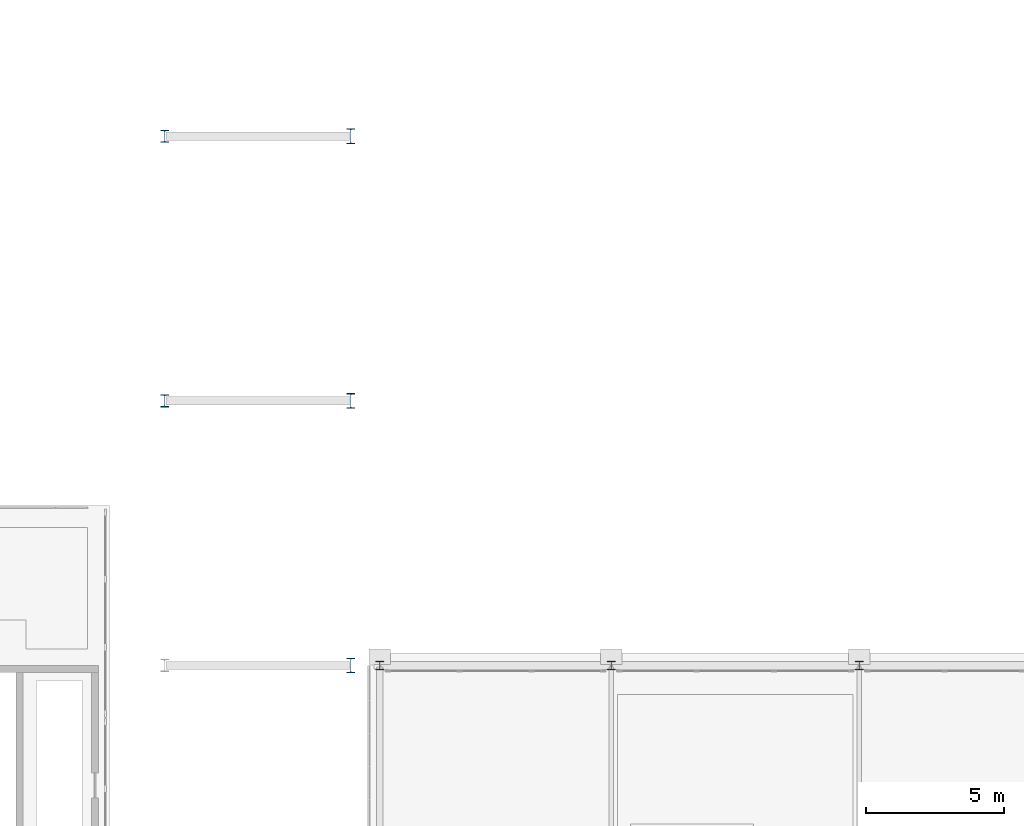
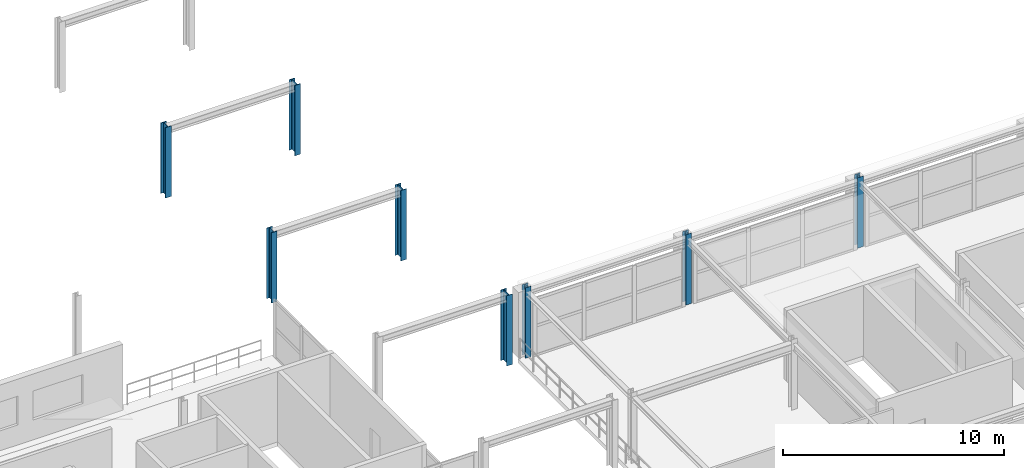
# One storey, part 4 of 52: 8 columns.
"""IFC4 building model written with IfcOpenShell, lengths in metres."""

from ifc_helpers import new_model, si_unit, direction, frame, origin, origin_2d, place, context, subcontext, project, spatial, i_section, extrude, material, material_profile, profile_set, type_object, element, save


model = new_model("IFC4")

# Units and contexts
model_context = context("Model", 3, precision=1e-05, world=origin(), true_north=direction((0.0, 1.0)))
body_context = subcontext(model_context, "Body", "Model", "MODEL_VIEW")
ifc_project = project(units=[si_unit("LENGTHUNIT", "METRE"), si_unit("AREAUNIT", "SQUARE_METRE"), si_unit("VOLUMEUNIT", "CUBIC_METRE"), si_unit("PLANEANGLEUNIT", "RADIAN"), si_unit("MASSUNIT", "GRAM", prefix="KILO")], contexts=[model_context])

# Site, building, storey
site_placement = place(None, origin())
site = spatial("IfcSite", under=ifc_project, at=site_placement, CompositionType="ELEMENT")
building_placement = place(site_placement, origin())
building = spatial("IfcBuilding", under=site, at=building_placement, Name="Myrtia Square Station", CompositionType="ELEMENT")
storey_placement = place(building_placement, frame((0.0, 0.0, 15.0)))
storey = spatial("IfcBuildingStorey", under=building, at=storey_placement, Name="L03", CompositionType="ELEMENT", Elevation=15.0)

# Columns
ifc_material = material(Name="Steel S355", Category="steel")
ifc_material_profile_1 = material_profile(ifc_material, i_section(OverallWidth=0.300048828125, OverallDepth=0.31005859375, WebThickness=0.009033203125, FlangeThickness=0.015380859375, FilletRadius=0.027099609375, at=origin_2d()), Name="HEA 320")
ifc_profile_set_1 = profile_set([ifc_material_profile_1], Name="Steel S355")
column_type_1 = type_object("IfcColumnType", Name="COL-HEA320", PredefinedType="COLUMN", material=ifc_profile_set_1)
for number, where, z_axis, x_axis, name in (
    (1, (117.60009765625, 38.39990234375, 0.0), (0.0, 0.0, 1.0), (1.0, 0.0, 0.0), "Column L03-0583"),
    (2, (126.0, 38.39990234375, 0.0), (0.0, 0.0, 1.0), (1.0, 0.0, 0.0), "Column L03-0608"),
    (3, (135.0, 38.39990234375, 0.0), (0.0, 0.0, 1.0), (1.0, 0.0, 0.0), "Column L03-0633"),
):
    element("IfcColumn", number, at=place(storey_placement, frame(where, z_axis=z_axis, x_axis=x_axis)), inside=storey, type_object=column_type_1, Name=name, PredefinedType="COLUMN", context=body_context, shape_type="SweptSolid", body=[
        extrude(i_section(OverallWidth=0.300048828125, OverallDepth=0.31005859375, WebThickness=0.009033203125, FlangeThickness=0.015380859375, FilletRadius=0.027099609375, at=origin_2d()), origin(), (0.0, 0.0, 1.0), 3.89990234375),
    ])
ifc_material_profile_2 = material_profile(ifc_material, i_section(OverallWidth=0.300048828125, OverallDepth=0.5400390625, WebThickness=0.012451171875, FlangeThickness=0.02392578125, FilletRadius=0.027099609375, at=origin_2d()), Name="HEA 550")
ifc_profile_set_2 = profile_set([ifc_material_profile_2], Name="Steel S355")
column_type_2 = type_object("IfcColumnType", Name="COL-HEA550", PredefinedType="COLUMN", material=ifc_profile_set_2)
for number, where, z_axis, x_axis, name in (
    (4, (116.550048828125, 38.39990234375, 0.0), (0.0, 0.0, 1.0), (1.0, 0.0, 0.0), "Column L03-0272"),
    (5, (116.550048828125, 48.0, 0.0), (0.0, 0.0, 1.0), (1.0, 0.0, 0.0), "Column L03-0294"),
    (6, (116.550048828125, 57.60009765625, 0.0), (0.0, 0.0, 1.0), (1.0, 0.0, 0.0), "Column L03-0316"),
):
    element("IfcColumn", number, at=place(storey_placement, frame(where, z_axis=z_axis, x_axis=x_axis)), inside=storey, type_object=column_type_2, Name=name, PredefinedType="COLUMN", context=body_context, shape_type="SweptSolid", body=[
        extrude(i_section(OverallWidth=0.300048828125, OverallDepth=0.5400390625, WebThickness=0.012451171875, FlangeThickness=0.02392578125, FilletRadius=0.027099609375, at=origin_2d()), origin(), (0.0, 0.0, 1.0), 3.89990234375),
    ])
ifc_material_profile_3 = material_profile(ifc_material, i_section(OverallWidth=0.300048828125, OverallDepth=0.449951171875, WebThickness=0.013916015625, FlangeThickness=0.02587890625, FilletRadius=0.027099609375, at=origin_2d()), Name="HEB 450")
ifc_profile_set_3 = profile_set([ifc_material_profile_3], Name="Steel S355")
column_type_3 = type_object("IfcColumnType", Name="COL-HEB450", PredefinedType="COLUMN", material=ifc_profile_set_3)
for number, where, z_axis, x_axis, name in (
    (7, (109.800048828125, 48.0, 0.0), (0.0, 0.0, 1.0), (1.0, 0.0, 0.0), "Column L03-0305"),
    (8, (109.800048828125, 57.60009765625, 0.0), (0.0, 0.0, 1.0), (1.0, 0.0, 0.0), "Column L03-0327"),
):
    element("IfcColumn", number, at=place(storey_placement, frame(where, z_axis=z_axis, x_axis=x_axis)), inside=storey, type_object=column_type_3, Name=name, PredefinedType="COLUMN", context=body_context, shape_type="SweptSolid", body=[
        extrude(i_section(OverallWidth=0.300048828125, OverallDepth=0.449951171875, WebThickness=0.013916015625, FlangeThickness=0.02587890625, FilletRadius=0.027099609375, at=origin_2d()), origin(), (0.0, 0.0, 1.0), 3.89990234375),
    ])

save(model, "model.ifc")
